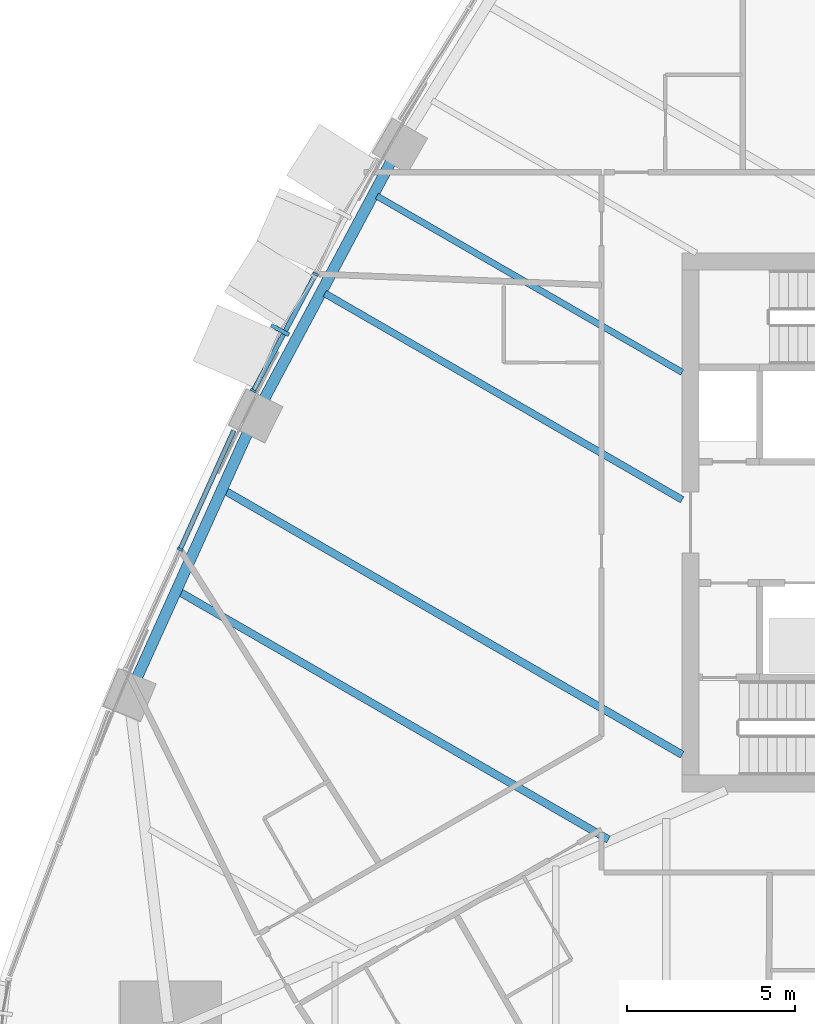
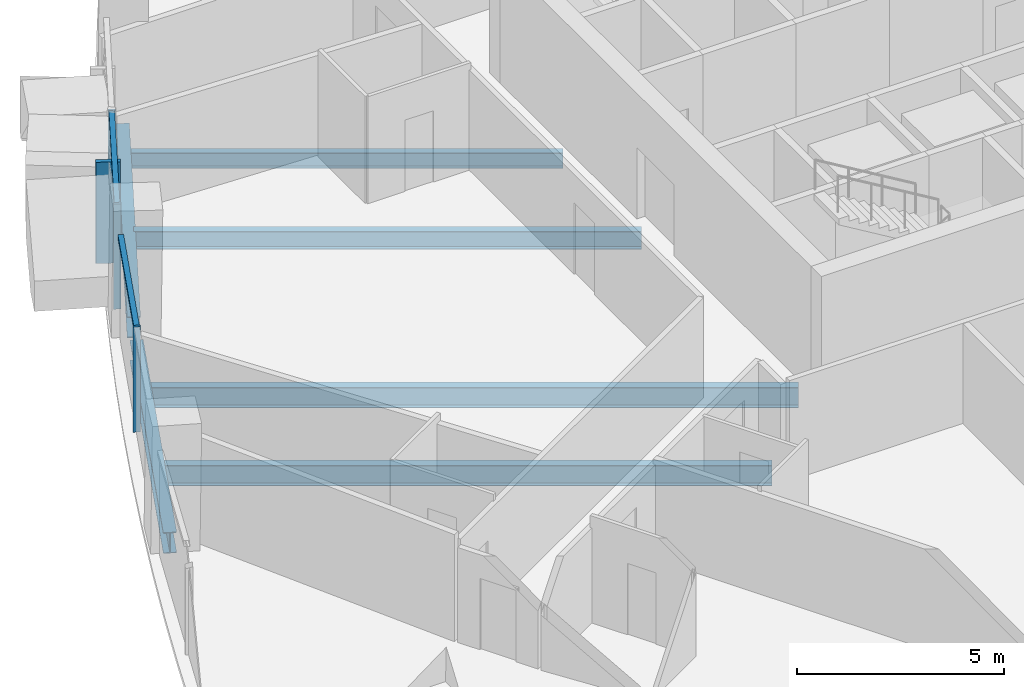
# One storey, part 3 of 18: 6 beams, 6 members, 2 elements without a shape of their own.
"""IFC4 building model written with IfcOpenShell, lengths in metres."""

from ifc_helpers import new_model, si_unit, direction, frame, origin, origin_2d, place, context, subcontext, project, spatial, rectangle, i_section, extrude, material, layer, layer_set, material_profile, profile_set, type_object, element, aggregate, save


model = new_model("IFC4")

# Units and contexts
model_context = context("Model", 3, precision=1e-05, world=origin(), true_north=direction((0.0, 1.0)))
body_context = subcontext(model_context, "Body", "Model", "MODEL_VIEW")
ifc_project = project(units=[si_unit("LENGTHUNIT", "METRE"), si_unit("AREAUNIT", "SQUARE_METRE"), si_unit("VOLUMEUNIT", "CUBIC_METRE"), si_unit("PLANEANGLEUNIT", "RADIAN"), si_unit("MASSUNIT", "GRAM", prefix="KILO")], contexts=[model_context])

# Site, building, storey
site_placement = place(None, origin())
site = spatial("IfcSite", under=ifc_project, at=site_placement, CompositionType="ELEMENT")
building_placement = place(site_placement, origin())
building = spatial("IfcBuilding", under=site, at=building_placement, Name="Sierra Prisma Convention Tower", CompositionType="ELEMENT")
storey_placement = place(building_placement, frame((0.0, 0.0, 81.300048828125)))
storey = spatial("IfcBuildingStorey", under=building, at=storey_placement, Name="L16", CompositionType="ELEMENT", Elevation=81.300048828125)

# Curtain wall, members
ifc_material_1 = material(Name="Aluminium and glass curtain wall", Category="aluminium")
ifc_layer_1 = layer(ifc_material_1, 0.179931640625)
ifc_layer_set_1 = layer_set([ifc_layer_1], Name="CW-2 Faceted crystal curtain wall")
curtain_wall_type_1 = type_object("IfcCurtainWallType", Name="CW-2 Faceted crystal curtain wall", PredefinedType="NOTDEFINED", material=ifc_layer_set_1)
curtain_wall_1_placement = place(storey_placement, origin())
curtain_wall_1 = element("IfcCurtainWall", 1, at=curtain_wall_1_placement, inside=storey, type_object=curtain_wall_type_1, Name="CW-2 NW4 L16", PredefinedType="NOTDEFINED")
ifc_material_2 = material(Name="Aluminium 6063-T6 bronze anodised", Category="aluminium")
ifc_material_profile_1 = material_profile(ifc_material_2, rectangle(XDim=0.1201171875, YDim=0.60009765625, at=origin_2d()), Name="ALU RIDGE BLADE 120x600")
ifc_profile_set_1 = profile_set([ifc_material_profile_1], Name="Aluminium 6063-T6 bronze anodised")
member_type_1 = type_object("IfcMemberType", Name="CW hip bronze", PredefinedType="MULLION", material=ifc_profile_set_1)
member_1_placement = place(storey_placement, frame((-22.944580078125, 5.71533203125, 0.0), z_axis=(0.0, 0.0, 1.0), x_axis=(-0.471018206015, -0.882123488862, 0.0)))
member_1 = element("IfcMember", 2, at=member_1_placement, type_object=member_type_1, Name="CW-2 ridge NW4.2", PredefinedType="MULLION", context=body_context, shape_type="SweptSolid", body=[
    extrude(rectangle(XDim=0.1201171875, YDim=0.60009765625, at=origin_2d()), origin(), (0.0, 0.0, 1.0), 2.97998046875),
])
ifc_material_3 = material(Name="Aluminium 6063-T6 bronze anodised", Category="aluminium")
ifc_material_profile_2 = material_profile(ifc_material_3, rectangle(XDim=0.179931640625, YDim=0.070068359375, at=origin_2d()), Name="ALU MULLION 70x180")
ifc_profile_set_2 = profile_set([ifc_material_profile_2], Name="Aluminium 6063-T6 bronze anodised")
member_type_2 = type_object("IfcMemberType", Name="CW mullion bronze", PredefinedType="MULLION", material=ifc_profile_set_2)
member_2_placement = place(storey_placement, frame((-21.88671875, 7.374755859375, 0.0), z_axis=(0.0, 0.0, 1.0), x_axis=(0.882123488862, -0.471018206015, 0.0)))
member_2 = element("IfcMember", 3, at=member_2_placement, type_object=member_type_2, Name="CW-1 mullion NW4.2", PredefinedType="MULLION", context=body_context, shape_type="SweptSolid", body=[
    extrude(rectangle(XDim=0.179931640625, YDim=0.070068359375, at=origin_2d()), origin(), (0.0, 0.0, 1.0), 3.099853515625),
])
member_3_placement = place(storey_placement, frame((-23.735107421875, 3.9130859375, 0.0), z_axis=(0.0, 0.0, 1.0), x_axis=(0.882123488862, -0.471018206015, 0.0)))
member_3 = element("IfcMember", 4, at=member_3_placement, type_object=member_type_2, Name="CW-1 mullion NW4.3", PredefinedType="MULLION", context=body_context, shape_type="SweptSolid", body=[
    extrude(rectangle(XDim=0.179931640625, YDim=0.070068359375, at=origin_2d()), origin(), (0.0, 0.0, 1.0), 3.099853515625),
])

# Curtain wall, member
ifc_material_4 = material(Name="Aluminium and glass curtain wall", Category="aluminium")
ifc_layer_2 = layer(ifc_material_4, 0.179931640625)
ifc_layer_set_2 = layer_set([ifc_layer_2], Name="CW-1 Plain shaft curtain wall")
curtain_wall_type_2 = type_object("IfcCurtainWallType", Name="CW-1 Plain shaft curtain wall", PredefinedType="NOTDEFINED", material=ifc_layer_set_2)
curtain_wall_2_placement = place(storey_placement, origin())
curtain_wall_2 = element("IfcCurtainWall", 5, at=curtain_wall_2_placement, inside=storey, type_object=curtain_wall_type_2, Name="CW-1 NW5 L16", PredefinedType="NOTDEFINED")
member_4_placement = place(storey_placement, frame((-25.909912109375, -0.799072265625, 0.0), z_axis=(0.0, 0.0, 1.0), x_axis=(0.91139442481, -0.411533962664, 0.0)))
member_4 = element("IfcMember", 6, at=member_4_placement, type_object=member_type_2, Name="CW-1 mullion NW5.2", PredefinedType="MULLION", context=body_context, shape_type="SweptSolid", body=[
    extrude(rectangle(XDim=0.179931640625, YDim=0.070068359375, at=origin_2d()), origin(), (0.0, 0.0, 1.0), 3.099853515625),
])

# Member
ifc_material_5 = material(Name="Aluminium 6063-T6 bronze anodised", Category="aluminium")
ifc_material_profile_3 = material_profile(ifc_material_5, rectangle(XDim=0.139892578125, YDim=0.1201171875, at=origin_2d()), Name="ALU TRANSOM 120x140")
ifc_profile_set_3 = profile_set([ifc_material_profile_3], Name="Aluminium 6063-T6 bronze anodised")
member_type_3 = type_object("IfcMemberType", Name="CW transom bronze", PredefinedType="USERDEFINED", material=ifc_profile_set_3)
member_5_placement = place(storey_placement, frame((-21.903076171875, 7.34375, 3.0400390625), z_axis=(-0.471022157963, -0.882121378671, 0.0), x_axis=(0.882121378671, -0.471022157963, 0.0)))
member_5 = element("IfcMember", 7, at=member_5_placement, type_object=member_type_3, Name="CW-1 transom NW4.2", ObjectType="TRANSOM", PredefinedType="USERDEFINED", context=body_context, shape_type="SweptSolid", body=[
    extrude(rectangle(XDim=0.139892578125, YDim=0.1201171875, at=origin_2d()), origin(), (0.0, 0.0, 1.0), 3.854248046875),
])

aggregate(curtain_wall_1, [member_2, member_3, member_5, member_1])

member_6_placement = place(storey_placement, frame((-24.31591796875, 2.730712890625, 3.0400390625), z_axis=(-0.411573087196, -0.911376757382, 0.0), x_axis=(0.911376757382, -0.411573087196, 0.0)))
member_6 = element("IfcMember", 8, at=member_6_placement, type_object=member_type_3, Name="CW-1 transom NW5.1", ObjectType="TRANSOM", PredefinedType="USERDEFINED", context=body_context, shape_type="SweptSolid", body=[
    extrude(rectangle(XDim=0.139892578125, YDim=0.1201171875, at=origin_2d()), origin(), (0.0, 0.0, 1.0), 3.837890625),
])

aggregate(curtain_wall_2, [member_4, member_6])

# Beams
ifc_material_6 = material(Name="Steel ASTM A992 Gr 50", Category="steel")
ifc_material_profile_4 = material_profile(ifc_material_6, i_section(OverallWidth=0.18994140625, OverallDepth=0.45703125, WebThickness=0.009033203125, FlangeThickness=0.014404296875, at=origin_2d()), Name="W460x74")
ifc_profile_set_4 = profile_set([ifc_material_profile_4], Name="Steel ASTM A992 Gr 50")
beam_type_1 = type_object("IfcBeamType", Name="Floor joist W460x74", PredefinedType="JOIST", material=ifc_profile_set_4)
beam_1_placement = place(storey_placement, frame((-20.067626953125, 9.693603515625, -0.378662109375), z_axis=(0.866019005993, -0.500011081137, 0.0), x_axis=(0.500011081137, 0.866019005993, 0.0)))
element("IfcBeam", 9, at=beam_1_placement, inside=storey, type_object=beam_type_1, Name="Floor joist L16 NW09", PredefinedType="JOIST", context=body_context, shape_type="SweptSolid", body=[
    extrude(i_section(OverallWidth=0.18994140625, OverallDepth=0.45703125, WebThickness=0.009033203125, FlangeThickness=0.014404296875, at=origin_2d()), origin(), (0.0, 0.0, 1.0), 10.470458984375),
])
ifc_material_7 = material(Name="Steel ASTM A992 Gr 50", Category="steel")
ifc_material_profile_5 = material_profile(ifc_material_7, i_section(OverallWidth=0.208984375, OverallDepth=0.532958984375, WebThickness=0.01025390625, FlangeThickness=0.015625, at=origin_2d()), Name="W530x92")
ifc_profile_set_5 = profile_set([ifc_material_profile_5], Name="Steel ASTM A992 Gr 50")
beam_type_2 = type_object("IfcBeamType", Name="Floor joist W530x92", PredefinedType="JOIST", material=ifc_profile_set_5)
beam_2_placement = place(storey_placement, frame((-21.612548828125, 6.80029296875, -0.41650390625), z_axis=(0.866032640389, -0.499987465624, 0.0), x_axis=(0.499987465624, 0.866032640389, 0.0)))
element("IfcBeam", 10, at=beam_2_placement, inside=storey, type_object=beam_type_2, Name="Floor joist L16 NW10", PredefinedType="JOIST", context=body_context, shape_type="SweptSolid", body=[
    extrude(i_section(OverallWidth=0.208984375, OverallDepth=0.532958984375, WebThickness=0.01025390625, FlangeThickness=0.015625, at=origin_2d()), origin(), (0.0, 0.0, 1.0), 12.254150390625),
])
ifc_material_8 = material(Name="Steel ASTM A992 Gr 50", Category="steel")
ifc_material_profile_6 = material_profile(ifc_material_8, i_section(OverallWidth=0.22802734375, OverallDepth=0.60302734375, WebThickness=0.010498046875, FlangeThickness=0.014892578125, at=origin_2d()), Name="W610x101")
ifc_profile_set_6 = profile_set([ifc_material_profile_6], Name="Steel ASTM A992 Gr 50")
beam_type_3 = type_object("IfcBeamType", Name="Floor joist W610x101", PredefinedType="JOIST", material=ifc_profile_set_6)
beam_3_placement = place(storey_placement, frame((-24.564697265625, 0.9345703125, -0.45166015625), z_axis=(0.866026472248, -0.499998149363, 0.0), x_axis=(0.499998149363, 0.866026472248, 0.0)))
element("IfcBeam", 11, at=beam_3_placement, inside=storey, type_object=beam_type_3, Name="Floor joist L16 NW12", PredefinedType="JOIST", context=body_context, shape_type="SweptSolid", body=[
    extrude(i_section(OverallWidth=0.22802734375, OverallDepth=0.60302734375, WebThickness=0.010498046875, FlangeThickness=0.014892578125, at=origin_2d()), origin(), (0.0, 0.0, 1.0), 15.6630859375),
])
beam_4_placement = place(storey_placement, frame((-25.92041015625, -2.067626953125, -0.45166015625), z_axis=(0.866024600639, -0.500001391086, 0.0), x_axis=(0.500001391086, 0.866024600639, 0.0)))
element("IfcBeam", 12, at=beam_4_placement, inside=storey, type_object=beam_type_3, Name="Floor joist L16 NW13", PredefinedType="JOIST", context=body_context, shape_type="SweptSolid", body=[
    extrude(i_section(OverallWidth=0.22802734375, OverallDepth=0.60302734375, WebThickness=0.010498046875, FlangeThickness=0.014892578125, at=origin_2d()), origin(), (0.0, 0.0, 1.0), 14.6982421875),
])
ifc_material_9 = material(Name="Steel ASTM A992 Gr 50", Category="steel")
ifc_material_profile_7 = material_profile(ifc_material_9, i_section(OverallWidth=0.324951171875, OverallDepth=0.615966796875, WebThickness=0.013916015625, FlangeThickness=0.021484375, at=origin_2d()), Name="W610x174")
ifc_profile_set_7 = profile_set([ifc_material_profile_7], Name="Steel ASTM A992 Gr 50")
beam_type_4 = type_object("IfcBeamType", Name="Spandrel beam W610x174", PredefinedType="BEAM", material=ifc_profile_set_7)
beam_5_placement = place(storey_placement, frame((-19.619140625, 10.772705078125, -0.4580078125), z_axis=(-0.471011397346, -0.882127124382, 0.0), x_axis=(0.882127124382, -0.471011397346, 0.0)))
element("IfcBeam", 13, at=beam_5_placement, inside=storey, type_object=beam_type_4, Name="Spandrel L16-16", PredefinedType="BEAM", context=body_context, shape_type="SweptSolid", body=[
    extrude(i_section(OverallWidth=0.324951171875, OverallDepth=0.615966796875, WebThickness=0.013916015625, FlangeThickness=0.021484375, at=origin_2d()), origin(), (0.0, 0.0, 1.0), 8.14404296875),
])
beam_6_placement = place(storey_placement, frame((-23.87890625, 2.72705078125, -0.4580078125), z_axis=(-0.411552185275, -0.911386196294, 0.0), x_axis=(0.911386196294, -0.411552185275, 0.0)))
element("IfcBeam", 14, at=beam_6_placement, inside=storey, type_object=beam_type_4, Name="Spandrel L16-17", PredefinedType="BEAM", context=body_context, shape_type="SweptSolid", body=[
    extrude(i_section(OverallWidth=0.324951171875, OverallDepth=0.615966796875, WebThickness=0.013916015625, FlangeThickness=0.021484375, at=origin_2d()), origin(), (0.0, 0.0, 1.0), 8.144287109375),
])

save(model, "model.ifc")
